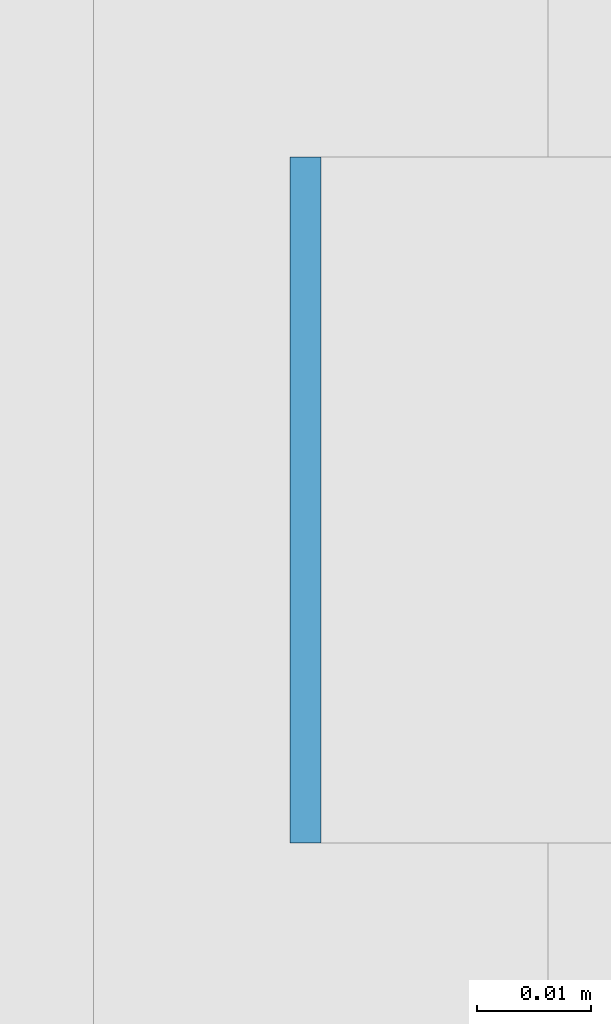
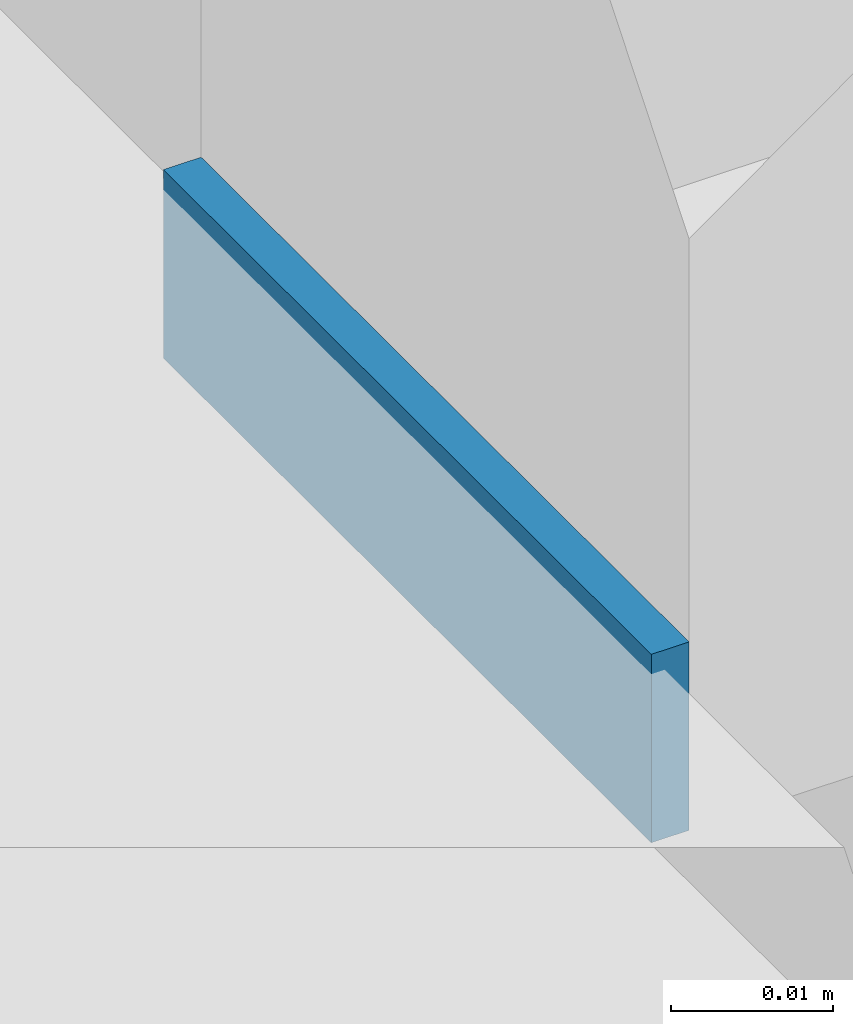
# One storey, part 458 of 646: 1 discrete accessory.
"""IFC4 building model written with IfcOpenShell, lengths in metres."""

from ifc_helpers import new_model, si_unit, direction, frame, origin, origin_2d, place, context, subcontext, project, spatial, rectangle, extrude, material, type_object, element, save


model = new_model("IFC4")

# Units and contexts
model_context = context("Model", 3, precision=1e-05, world=origin(), true_north=direction((0.0, 1.0)))
body_context = subcontext(model_context, "Body", "Model", "MODEL_VIEW")
ifc_project = project(units=[si_unit("LENGTHUNIT", "METRE"), si_unit("AREAUNIT", "SQUARE_METRE"), si_unit("VOLUMEUNIT", "CUBIC_METRE"), si_unit("PLANEANGLEUNIT", "RADIAN"), si_unit("MASSUNIT", "GRAM", prefix="KILO")], contexts=[model_context])

# Site, building, storey
site_placement = place(None, origin())
site = spatial("IfcSite", under=ifc_project, at=site_placement, CompositionType="ELEMENT")
building_placement = place(site_placement, origin())
building = spatial("IfcBuilding", under=site, at=building_placement, Name="Silverbay Arena", CompositionType="ELEMENT")
storey_placement = place(building_placement, frame((0.0, 0.0, 33.5)))
storey = spatial("IfcBuildingStorey", under=building, at=storey_placement, Name="L05", CompositionType="ELEMENT", Elevation=33.5)

# Discrete accessory
ifc_material = material(Name="Steel S355", Category="steel")
discrete_accessory_type = type_object("IfcDiscreteAccessoryType", Name="Steel bracket plate", PredefinedType="BRACKET", material=ifc_material)
discrete_accessory_placement = place(storey_placement, frame((207.128662109375, 43.71435546875, 4.0), z_axis=(0.0, 0.0, 1.0), x_axis=(1.0, 0.0, 0.0)))
element("IfcDiscreteAccessory", 1, at=discrete_accessory_placement, inside=storey, type_object=discrete_accessory_type, Name="Curtain wall packing plate", PredefinedType="BRACKET", context=body_context, shape_type="SweptSolid", body=[
    extrude(rectangle(XDim=0.002685546875, YDim=0.06005859375, at=origin_2d()), origin(), (0.0, 0.0, 1.0), 0.01416015625),
])

save(model, "model.ifc")
